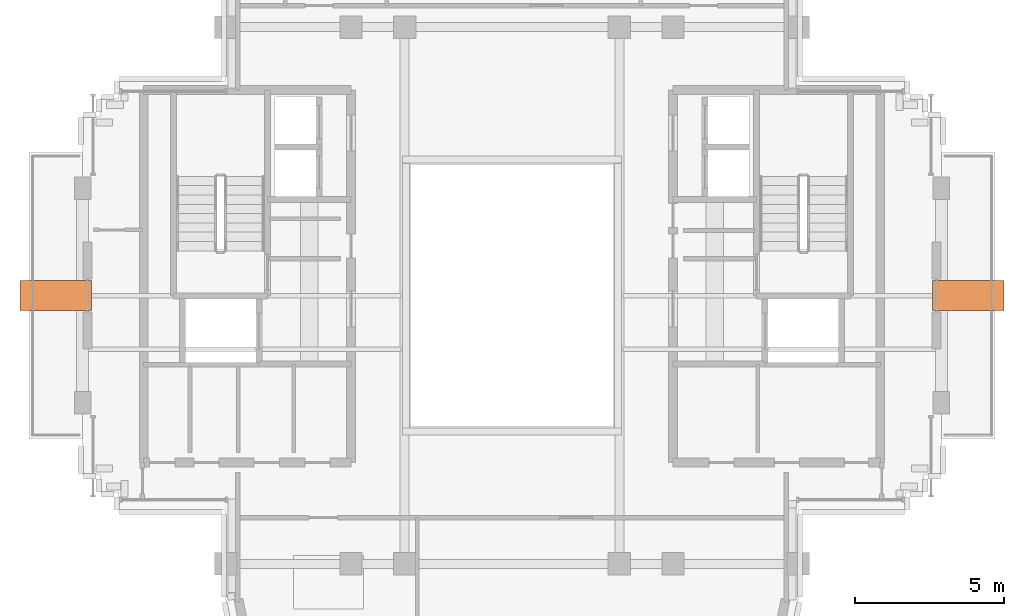
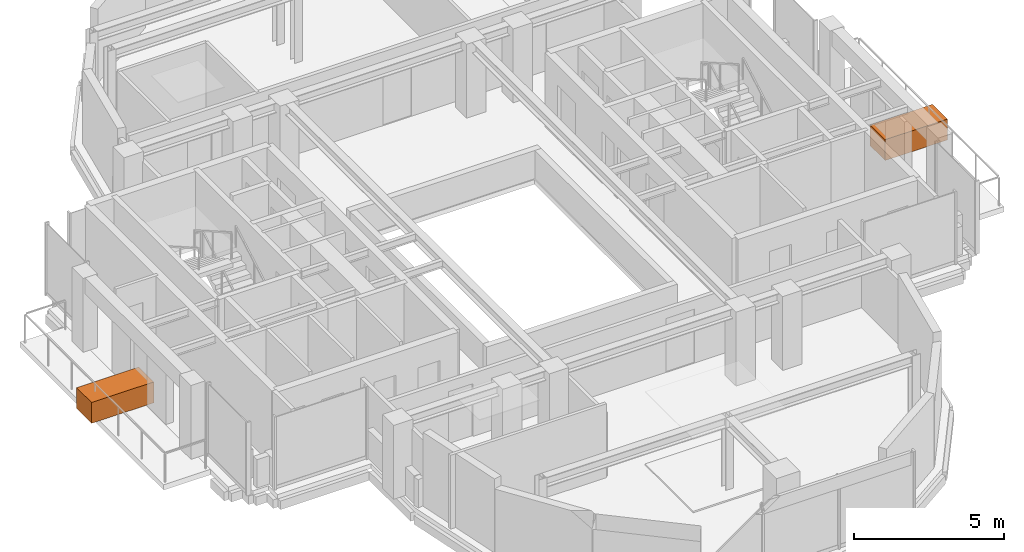
# One storey, part 12 of 12: 2 proxies.
"""IFC4 building model written with IfcOpenShell, lengths in metres."""

from ifc_helpers import new_model, si_unit, direction, frame, origin, origin_2d, place, context, subcontext, project, spatial, rectangle, extrude, source, transform, mapped, material, type_object, element, save


model = new_model("IFC4")

# Units and contexts
model_context = context("Model", 3, precision=1e-05, world=origin(), true_north=direction((0.0, 1.0)))
body_context = subcontext(model_context, "Body", "Model", "MODEL_VIEW")
ifc_project = project(units=[si_unit("LENGTHUNIT", "METRE"), si_unit("AREAUNIT", "SQUARE_METRE"), si_unit("VOLUMEUNIT", "CUBIC_METRE"), si_unit("PLANEANGLEUNIT", "RADIAN"), si_unit("MASSUNIT", "GRAM", prefix="KILO")], contexts=[model_context])

# Site, building, storey
site_placement = place(None, origin())
site = spatial("IfcSite", under=ifc_project, at=site_placement, CompositionType="ELEMENT")
building_placement = place(site_placement, origin())
building = spatial("IfcBuilding", under=site, at=building_placement, Name="Keilestroom Media Tower", CompositionType="ELEMENT")
storey_placement = place(building_placement, frame((0.0, 0.0, 258.800048828125)))
storey = spatial("IfcBuildingStorey", under=building, at=storey_placement, Name="L72", CompositionType="ELEMENT", Elevation=258.800048828125)

# Proxies
ifc_material = material(Name="Precast concrete C40/50", Category="concrete")
building_element_proxy_type = type_object("IfcBuildingElementProxyType", Name="Sky-Garden-Planter-Box-PRX-1", PredefinedType="USERDEFINED", material=ifc_material)
shared_shape = source(origin(), body_context, "Body", "SweptSolid", [
    extrude(rectangle(XDim=2.39990234375, YDim=1.0, at=origin_2d()), origin(), (0.0, 0.0, 1.0), 0.85009765625),
])
for number, where, z_axis, x_axis, name in (
    (1, (-15.300048828125, 0.0, 0.0), (0.0, 0.0, 1.0), (1.0, 0.0, 0.0), "L72 Sky-Garden Planter Box CUP72-W"),
    (2, (15.300048828125, 0.0, 0.0), (0.0, 0.0, 1.0), (1.0, 0.0, 0.0), "L72 Sky-Garden Planter Box CUP72-E"),
):
    element("IfcBuildingElementProxy", number, at=place(storey_placement, frame(where, z_axis=z_axis, x_axis=x_axis)), inside=storey, type_object=building_element_proxy_type, Name=name, ObjectType="PLANTER", PredefinedType="USERDEFINED", context=body_context, shape_type="MappedRepresentation", body=[
        mapped(shared_shape, transform((0.0, 0.0, 0.0), x_axis=(1.0, 0.0, 0.0), y_axis=(0.0, 1.0, 0.0), z_axis=(0.0, 0.0, 1.0), scale=1.0)),
    ])

save(model, "model.ifc")
